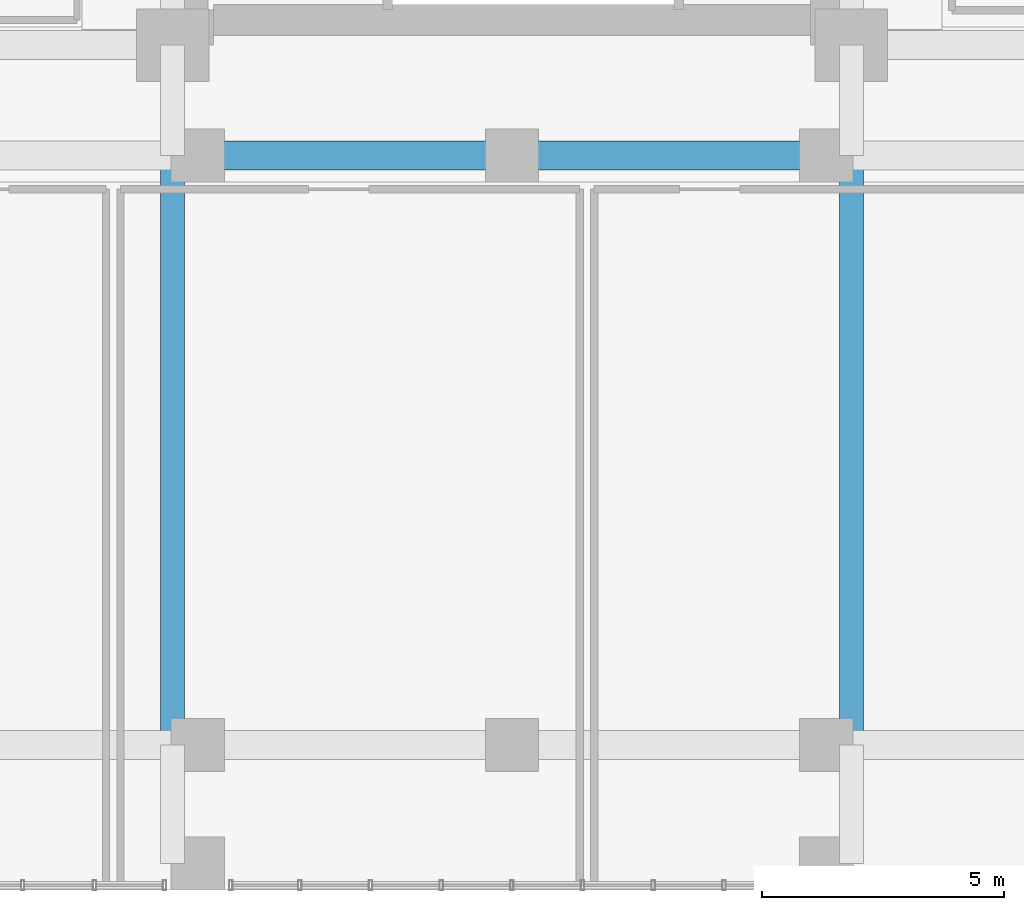
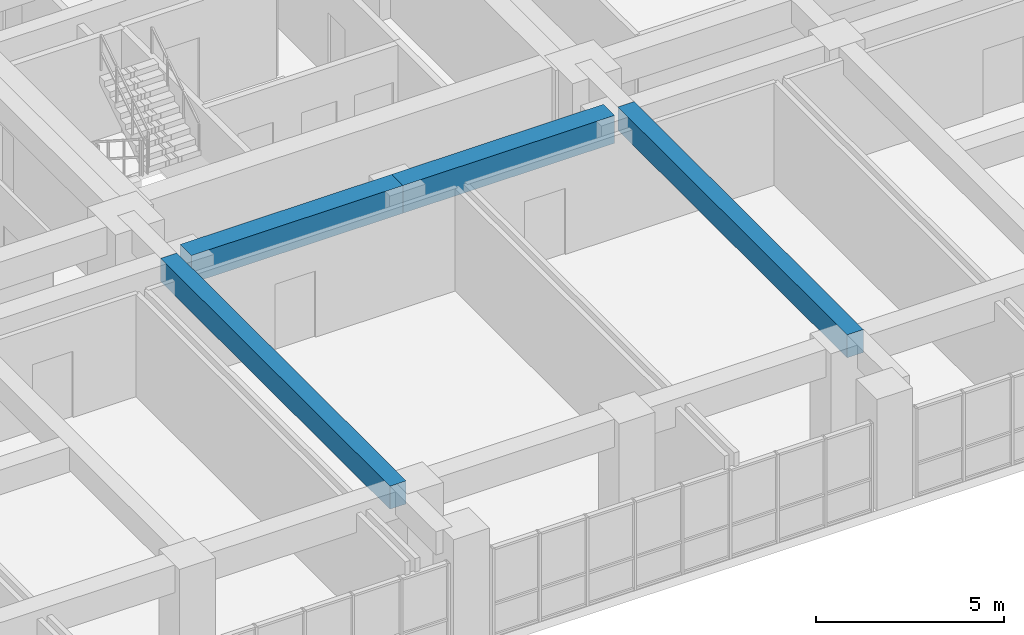
# One storey, part 5 of 27: 4 beams.
"""IFC4 building model written with IfcOpenShell, lengths in metres."""

from ifc_helpers import new_model, si_unit, direction, frame, origin, origin_2d, place, context, subcontext, project, spatial, rectangle, extrude, source, transform, mapped, material, material_profile, profile_set, type_object, element, save


model = new_model("IFC4")

# Units and contexts
model_context = context("Model", 3, precision=1e-05, world=origin(), true_north=direction((0.0, 1.0)))
body_context = subcontext(model_context, "Body", "Model", "MODEL_VIEW")
ifc_project = project(units=[si_unit("LENGTHUNIT", "METRE"), si_unit("AREAUNIT", "SQUARE_METRE"), si_unit("VOLUMEUNIT", "CUBIC_METRE"), si_unit("PLANEANGLEUNIT", "RADIAN"), si_unit("MASSUNIT", "GRAM", prefix="KILO")], contexts=[model_context])

# Site, building, storey
site_placement = place(None, origin())
site = spatial("IfcSite", under=ifc_project, at=site_placement, CompositionType="ELEMENT")
building_placement = place(site_placement, origin())
building = spatial("IfcBuilding", under=site, at=building_placement, Name="Saelheon Loggia Tower", CompositionType="ELEMENT")
storey_placement = place(building_placement, frame((0.0, 0.0, 4.199951171875)))
storey = spatial("IfcBuildingStorey", under=building, at=storey_placement, Name="L01", CompositionType="ELEMENT", Elevation=4.199951171875)

# Beams
ifc_material_1 = material(Name="Concrete C50/60", Category="concrete")
ifc_material_profile_1 = material_profile(ifc_material_1, rectangle(XDim=0.60009765625, YDim=0.89990234375, at=origin_2d()), Name="RC-600x900")
ifc_profile_set_1 = profile_set([ifc_material_profile_1], Name="Concrete C50/60")
beam_type_1 = type_object("IfcBeamType", Name="Beam_MainGirder_RC600x900", PredefinedType="BEAM", material=ifc_profile_set_1)
shared_shape_1 = source(origin(), body_context, "Body", "SweptSolid", [
    extrude(rectangle(XDim=0.60009765625, YDim=0.89990234375, at=origin_2d()), origin(), (0.0, 0.0, 1.0), 6.5),
])
for number, where, z_axis, x_axis, name in (
    (1, (31.5, 15.199951171875, 3.150146484375), (1.0, 0.0, 0.0), (0.0, 1.0, 0.0), "BM-L01-EW-15-4"),
    (2, (38.0, 15.199951171875, 3.150146484375), (1.0, 0.0, 0.0), (0.0, 1.0, 0.0), "BM-L01-EW-15-5"),
):
    element("IfcBeam", number, at=place(storey_placement, frame(where, z_axis=z_axis, x_axis=x_axis)), inside=storey, type_object=beam_type_1, Name=name, PredefinedType="BEAM", context=body_context, shape_type="MappedRepresentation", body=[
        mapped(shared_shape_1, transform((0.0, 0.0, 0.0), scale=1.0)),
    ])
ifc_material_2 = material(Name="Concrete C45/55", Category="concrete")
ifc_material_profile_2 = material_profile(ifc_material_2, rectangle(XDim=0.5, YDim=0.75, at=origin_2d()), Name="RC-500x750")
ifc_profile_set_2 = profile_set([ifc_material_profile_2], Name="Concrete C45/55")
beam_type_2 = type_object("IfcBeamType", Name="Beam_FloorGirder_RC500x750", PredefinedType="BEAM", material=ifc_profile_set_2)
shared_shape_2 = source(origin(), body_context, "Body", "SweptSolid", [
    extrude(rectangle(XDim=0.5, YDim=0.75, at=origin_2d()), origin(), (0.0, 0.0, 1.0), 12.199951171875),
])
for number, where, z_axis, x_axis, name in (
    (3, (30.97998046875, 3.0, 3.22509765625), (0.0, 1.0, 0.0), (-1.0, 0.0, 0.0), "BM-L01-NS-30-2"),
    (4, (45.02001953125, 3.0, 3.22509765625), (0.0, 1.0, 0.0), (-1.0, 0.0, 0.0), "BM-L01-NS-45-2"),
):
    element("IfcBeam", number, at=place(storey_placement, frame(where, z_axis=z_axis, x_axis=x_axis)), inside=storey, type_object=beam_type_2, Name=name, PredefinedType="BEAM", context=body_context, shape_type="MappedRepresentation", body=[
        mapped(shared_shape_2, transform((0.0, 0.0, 0.0), scale=1.0)),
    ])

save(model, "model.ifc")
